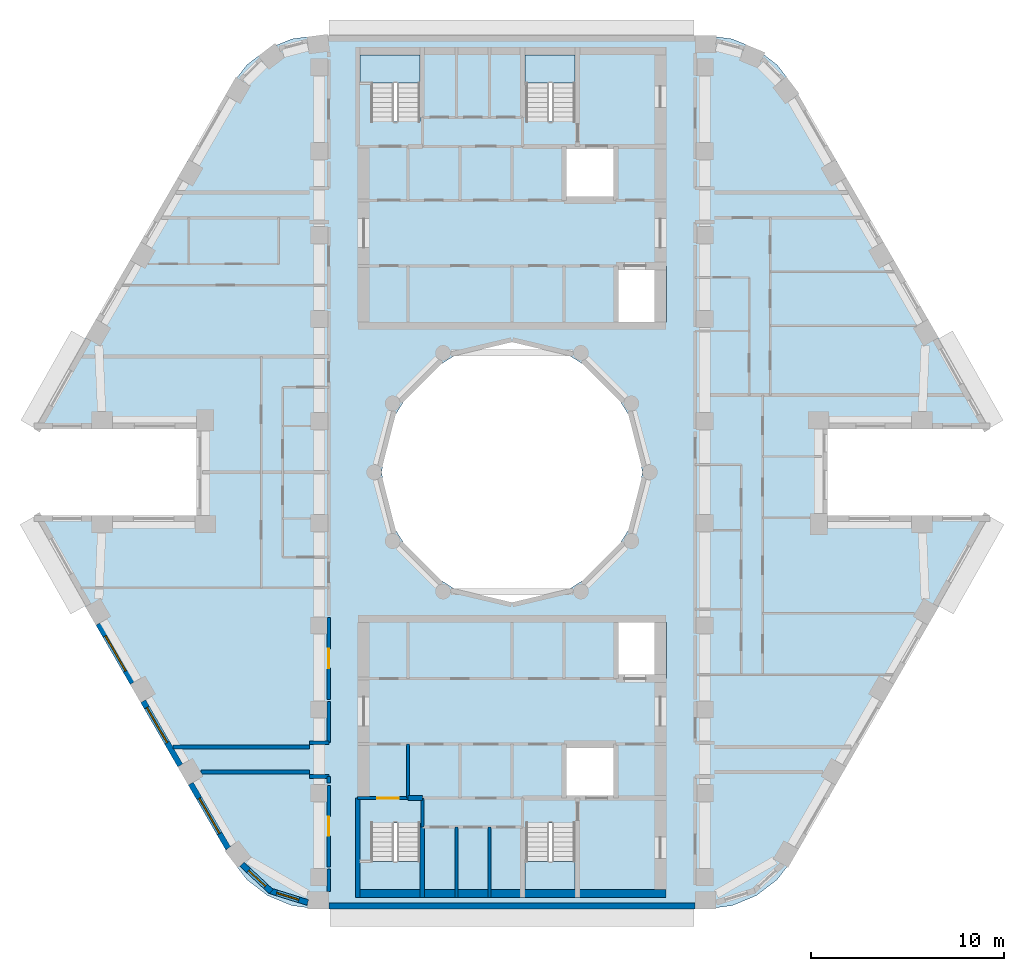
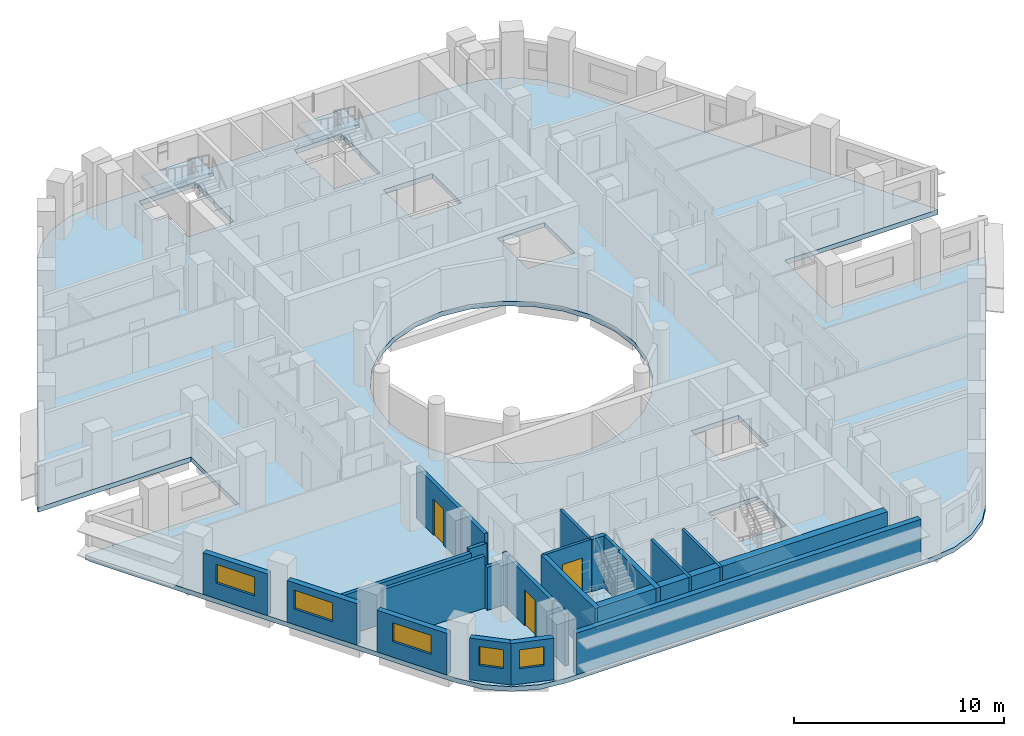
# One storey, part 2 of 12: 24 walls, 5 slabs, 5 windows, 3 doors, 8 openings, 4 elements without a shape of their own.
"""IFC4 building model written with IfcOpenShell, lengths in metres."""

from ifc_helpers import new_model, si_unit, direction, frame, frame_2d, origin, place, context, subcontext, project, spatial, polyline, rectangle, outline, extrude, material, layer, layer_set, type_object, element, fill, aggregate, save


model = new_model("IFC4")

# Units and contexts
model_context = context("Model", 3, precision=1e-05, world=origin(), true_north=direction((0.0, 1.0)))
body_context = subcontext(model_context, "Body", "Model", "MODEL_VIEW")
ifc_project = project(units=[si_unit("LENGTHUNIT", "METRE"), si_unit("AREAUNIT", "SQUARE_METRE"), si_unit("VOLUMEUNIT", "CUBIC_METRE"), si_unit("PLANEANGLEUNIT", "RADIAN"), si_unit("MASSUNIT", "GRAM", prefix="KILO")], contexts=[model_context])

# Site, building, storey
site_placement = place(None, origin())
site = spatial("IfcSite", under=ifc_project, at=site_placement, CompositionType="ELEMENT")
building_placement = place(site_placement, origin())
building = spatial("IfcBuilding", under=site, at=building_placement, Name="Nakaniwa Court", CompositionType="ELEMENT")
storey_placement = place(building_placement, frame((0.0, 0.0, 249.300048828125)))
storey = spatial("IfcBuildingStorey", under=building, at=storey_placement, Name="L65", CompositionType="ELEMENT", Elevation=249.300048828125)

# Slab
ifc_material_1 = material(Name="Concrete C80/100", Category="concrete")
ifc_layer_1 = layer(ifc_material_1, 0.27490234375)
ifc_layer_set_1 = layer_set([ifc_layer_1], Name="Concrete C80/100")
slab_type_1 = type_object("IfcSlabType", Name="Concrete C80/100 post tensioned floor slab 275", PredefinedType="FLOOR", material=ifc_layer_set_1)
slab_1_placement = place(storey_placement, frame((0.0, 0.0, -0.275146484375)))
element("IfcSlab", 1, at=slab_1_placement, inside=storey, type_object=slab_type_1, Name="FLOOR SLAB", PredefinedType="FLOOR", context=body_context, shape_type="SweptSolid", body=[
    extrude(outline(polyline([(96.349609375, 82.25), (104.7978515625, 82.25), (104.65283203125, 82.60009765625), (94.578125, 100.050048828125), (93.751708984375, 101.126953125), (92.6748046875, 101.953369140625), (91.420654296875, 102.472900390625), (90.07470703125, 102.64990234375), (69.92529296875, 102.64990234375), (68.579345703125, 102.472900390625), (67.3251953125, 101.953369140625), (66.248291015625, 101.126953125), (65.421875, 100.050048828125), (55.34716796875, 82.60009765625), (55.2021484375, 82.25), (63.650390625, 82.25), (63.650390625, 77.75), (55.2021484375, 77.75), (55.34716796875, 77.39990234375), (65.421875, 59.949951171875), (66.248291015625, 58.873046875), (67.3251953125, 58.046630859375), (68.579345703125, 57.527099609375), (69.92529296875, 57.35009765625), (90.07470703125, 57.35009765625), (91.420654296875, 57.527099609375), (92.6748046875, 58.046630859375), (93.751708984375, 58.873046875), (94.578125, 59.949951171875), (104.65283203125, 77.39990234375), (104.7978515625, 77.75), (96.349609375, 77.75), (96.349609375, 82.25)]), holes=[polyline([(81.501953125, 86.580810546875), (80.0, 86.75), (78.498046875, 86.580810546875), (77.0712890625, 86.08154296875), (75.79150390625, 85.27734375), (74.72265625, 84.20849609375), (73.91845703125, 82.9287109375), (73.419189453125, 81.501953125), (73.25, 80.0), (73.419189453125, 78.498046875), (73.91845703125, 77.0712890625), (74.72265625, 75.79150390625), (75.79150390625, 74.72265625), (77.0712890625, 73.91845703125), (78.498046875, 73.419189453125), (80.0, 73.25), (81.501953125, 73.419189453125), (82.9287109375, 73.91845703125), (84.20849609375, 74.72265625), (85.27734375, 75.79150390625), (86.08154296875, 77.0712890625), (86.580810546875, 78.498046875), (86.75, 80.0), (86.580810546875, 81.501953125), (86.08154296875, 82.9287109375), (85.27734375, 84.20849609375), (84.20849609375, 85.27734375), (82.9287109375, 86.08154296875), (81.501953125, 86.580810546875)]), polyline([(72.675048828125, 61.81005859375), (72.675048828125, 59.864990234375), (72.0849609375, 59.864990234375), (72.0849609375, 58.31005859375), (72.125, 58.31005859375), (72.125, 58.074951171875), (75.22509765625, 58.074951171875), (75.22509765625, 58.31005859375), (75.264892578125, 58.31005859375), (75.264892578125, 59.864990234375), (75.22509765625, 59.864990234375), (75.22509765625, 61.81005859375), (72.675048828125, 61.81005859375)]), polyline([(83.27490234375, 61.81005859375), (80.72509765625, 61.81005859375), (80.72509765625, 59.864990234375), (80.635009765625, 59.864990234375), (80.635009765625, 58.31005859375), (80.675048828125, 58.31005859375), (80.675048828125, 58.074951171875), (83.27490234375, 58.074951171875), (83.27490234375, 58.31005859375), (83.31494140625, 58.31005859375), (83.31494140625, 59.864990234375), (83.27490234375, 59.864990234375), (83.27490234375, 61.81005859375)]), polyline([(75.264892578125, 101.68994140625), (75.22509765625, 101.68994140625), (75.22509765625, 101.925048828125), (72.125, 101.925048828125), (72.125, 101.68994140625), (72.0849609375, 101.68994140625), (72.0849609375, 100.135009765625), (72.675048828125, 100.135009765625), (72.675048828125, 98.18994140625), (75.22509765625, 98.18994140625), (75.22509765625, 100.135009765625), (75.264892578125, 100.135009765625), (75.264892578125, 101.68994140625)]), polyline([(83.31494140625, 100.135009765625), (83.31494140625, 101.68994140625), (83.27490234375, 101.68994140625), (83.27490234375, 101.925048828125), (80.675048828125, 101.925048828125), (80.675048828125, 101.68994140625), (80.635009765625, 101.68994140625), (80.635009765625, 100.135009765625), (80.72509765625, 100.135009765625), (80.72509765625, 98.18994140625), (83.27490234375, 98.18994140625), (83.27490234375, 100.135009765625), (83.31494140625, 100.135009765625)]), polyline([(85.39990234375, 65.89990234375), (82.699951171875, 65.89990234375), (82.699951171875, 63.10009765625), (85.39990234375, 63.10009765625), (85.39990234375, 65.89990234375)]), polyline([(88.0, 72.199951171875), (85.39990234375, 72.199951171875), (85.39990234375, 69.300048828125), (88.0, 69.300048828125), (88.0, 72.199951171875)]), polyline([(85.39990234375, 90.699951171875), (85.39990234375, 87.800048828125), (88.0, 87.800048828125), (88.0, 90.699951171875), (85.39990234375, 90.699951171875)]), polyline([(85.39990234375, 96.89990234375), (82.699951171875, 96.89990234375), (82.699951171875, 94.10009765625), (85.39990234375, 94.10009765625), (85.39990234375, 96.89990234375)])]), origin(), (0.0, 0.0, 1.0), 0.275146484375),
])

# Stair, slab
stair_type = type_object("IfcStairType", Name="Dog leg stair 1200 wide 18 risers", PredefinedType="HALF_TURN_STAIR", material=ifc_material_1)
stair_1_placement = place(storey_placement, origin())
stair_1 = element("IfcStair", 2, at=stair_1_placement, inside=storey, type_object=stair_type, Name="L65 Stair ST1", PredefinedType="HALF_TURN_STAIR")
ifc_layer_2 = layer(ifc_material_1, 0.199951171875)
ifc_layer_set_2 = layer_set([ifc_layer_2], Name="Concrete C80/100")
slab_type_2 = type_object("IfcSlabType", Name="Stair landing concrete", PredefinedType="LANDING", material=ifc_layer_set_2)
slab_2_placement = place(storey_placement, frame((0.0, 0.0, 1.449951171875)))
slab_2 = element("IfcSlab", 3, at=slab_2_placement, type_object=slab_type_2, Name="ST1 landing 1", PredefinedType="LANDING", context=body_context, shape_type="SweptSolid", body=[
    extrude(outline(polyline([(75.22509765625, 100.175048828125), (75.22509765625, 101.64990234375), (72.125, 101.64990234375), (72.125, 100.175048828125), (75.22509765625, 100.175048828125)])), origin(), (0.0, 0.0, 1.0), 0.199951171875),
])
aggregate(stair_1, [slab_2])

stair_2_placement = place(storey_placement, origin())
stair_2 = element("IfcStair", 4, at=stair_2_placement, inside=storey, type_object=stair_type, Name="L65 Stair ST2", PredefinedType="HALF_TURN_STAIR")
slab_3_placement = place(storey_placement, frame((0.0, 0.0, 1.449951171875)))
slab_3 = element("IfcSlab", 5, at=slab_3_placement, type_object=slab_type_2, Name="ST2 landing 1", PredefinedType="LANDING", context=body_context, shape_type="SweptSolid", body=[
    extrude(outline(polyline([(83.27490234375, 100.175048828125), (83.27490234375, 101.64990234375), (80.675048828125, 101.64990234375), (80.675048828125, 100.175048828125), (83.27490234375, 100.175048828125)])), origin(), (0.0, 0.0, 1.0), 0.199951171875),
])
aggregate(stair_2, [slab_3])

stair_3_placement = place(storey_placement, origin())
stair_3 = element("IfcStair", 6, at=stair_3_placement, inside=storey, type_object=stair_type, Name="L65 Stair ST3", PredefinedType="HALF_TURN_STAIR")
slab_4_placement = place(storey_placement, frame((0.0, 0.0, 1.449951171875)))
slab_4 = element("IfcSlab", 7, at=slab_4_placement, type_object=slab_type_2, Name="ST3 landing 1", PredefinedType="LANDING", context=body_context, shape_type="SweptSolid", body=[
    extrude(outline(polyline([(75.22509765625, 58.35009765625), (75.22509765625, 59.824951171875), (72.125, 59.824951171875), (72.125, 58.35009765625), (75.22509765625, 58.35009765625)])), origin(), (0.0, 0.0, 1.0), 0.199951171875),
])
aggregate(stair_3, [slab_4])

stair_4_placement = place(storey_placement, origin())
stair_4 = element("IfcStair", 8, at=stair_4_placement, inside=storey, type_object=stair_type, Name="L65 Stair ST4", PredefinedType="HALF_TURN_STAIR")
slab_5_placement = place(storey_placement, frame((0.0, 0.0, 1.449951171875)))
slab_5 = element("IfcSlab", 9, at=slab_5_placement, type_object=slab_type_2, Name="ST4 landing 1", PredefinedType="LANDING", context=body_context, shape_type="SweptSolid", body=[
    extrude(outline(polyline([(83.27490234375, 58.35009765625), (83.27490234375, 59.824951171875), (80.675048828125, 59.824951171875), (80.675048828125, 58.35009765625), (83.27490234375, 58.35009765625)])), origin(), (0.0, 0.0, 1.0), 0.199951171875),
])
aggregate(stair_4, [slab_5])

# Walls
ifc_material_2 = material(Name="Acoustic double stud partition")
ifc_layer_3 = layer(ifc_material_2, 0.199951171875)
ifc_layer_set_3 = layer_set([ifc_layer_3], Name="Acoustic double stud partition")
wall_type_1 = type_object("IfcWallType", Name="Acoustic double stud partition 200", PredefinedType="PARTITIONING", material=ifc_layer_set_3)
wall_1_placement = place(storey_placement, frame((63.88330078125, 64.449951171875, 0.0), z_axis=(0.0, 0.0, 1.0), x_axis=(1.0, 0.0, 0.0)))
element("IfcWall", 10, at=wall_1_placement, inside=storey, type_object=wall_type_1, Name="Partition PW-078", PredefinedType="PARTITIONING", context=body_context, shape_type="SweptSolid", body=[
    extrude(rectangle(XDim=5.61669921875, YDim=0.199951171875, at=frame_2d((2.808349609375, 0.0))), origin(), (0.0, 0.0, 1.0), 3.02490234375),
])
for number, where, z_axis, x_axis, name in (
    (11, (69.5, 64.22509765625, 0.0), (0.0, 0.0, 1.0), (1.0, 0.0, 0.0), "Partition PW-080"),
    (12, (69.5, 65.97509765625, 0.0), (0.0, 0.0, 1.0), (1.0, 0.0, 0.0), "Partition PW-082"),
):
    element("IfcWall", number, at=place(storey_placement, frame(where, z_axis=z_axis, x_axis=x_axis)), inside=storey, type_object=wall_type_1, Name=name, PredefinedType="PARTITIONING", context=body_context, shape_type="SweptSolid", body=[
        extrude(rectangle(XDim=1.0, YDim=0.199951171875, at=frame_2d((0.5, 0.0))), origin(), (0.0, 0.0, 1.0), 2.5048828125),
    ])
wall_2_placement = place(storey_placement, frame((62.419677734375, 65.75, 0.0), z_axis=(0.0, 0.0, 1.0), x_axis=(1.0, 0.0, 0.0)))
element("IfcWall", 13, at=wall_2_placement, inside=storey, type_object=wall_type_1, Name="Partition PW-084", PredefinedType="PARTITIONING", context=body_context, shape_type="SweptSolid", body=[
    extrude(rectangle(XDim=7.080322265625, YDim=0.199951171875, at=frame_2d((3.5400390625, 0.0))), origin(), (0.0, 0.0, 1.0), 2.405029296875),
])
wall_3_placement = place(storey_placement, frame((70.5, 58.26708984375, 0.0), z_axis=(0.0, 0.0, 1.0), x_axis=(0.0, 1.0, 0.0)))
element("IfcWall", 14, at=wall_3_placement, inside=storey, type_object=wall_type_1, Name="Partition PW-086", PredefinedType="PARTITIONING", context=body_context, shape_type="SweptSolid", body=[
    extrude(rectangle(XDim=1.14599609375, YDim=0.199951171875, at=frame_2d((0.572998046875, 0.0))), origin(), (0.0, 0.0, 1.0), 3.02490234375),
])

# Wall, opening, door
wall_4_placement = place(storey_placement, frame((70.5, 59.527099609375, 0.0), z_axis=(0.0, 0.0, 1.0), x_axis=(0.0, 1.0, 0.0)))
wall_4 = element("IfcWall", 15, at=wall_4_placement, inside=storey, type_object=wall_type_1, Name="Partition PW-087", PredefinedType="PARTITIONING", context=body_context, shape_type="SweptSolid", body=[
    extrude(rectangle(XDim=4.23583984375, YDim=0.199951171875, at=frame_2d((2.117919921875, 0.0))), origin(), (0.0, 0.0, 1.0), 3.02490234375),
])
opening_1_placement = place(wall_4_placement, frame((1.617919921875, 0.0, 0.0)))
opening_1 = element("IfcOpeningElement", 16, at=opening_1_placement, cuts=wall_4, Name="Opening D-02-05", PredefinedType="OPENING", context=body_context, shape_type="SweptSolid", body=[
    extrude(rectangle(XDim=1.0, YDim=2.10009765625, at=frame_2d((0.5, 1.050048828125))), frame((0.0, 0.10986328125, 0.0), z_axis=(0.0, -1.0, 0.0), x_axis=(1.0, 0.0, 0.0)), (0.0, 0.0, 1.0), 0.219970703125),
])
ifc_material_3 = material(Name="Solid core timber door set, black veneer", Category="wood")
door_type_1 = type_object("IfcDoorType", Name="Internal door 1000", OperationType="NOTDEFINED", PredefinedType="DOOR", material=ifc_material_3)
door_1_placement = place(opening_1_placement, origin())
door_1 = element("IfcDoor", 17, at=door_1_placement, inside=storey, type_object=door_type_1, Name="Door D-02-05 L65-061", OperationType="SINGLE_SWING_RIGHT", OverallHeight=2.10009765625, OverallWidth=1.0, PredefinedType="DOOR", context=body_context, shape_type="SweptSolid", body=[
    extrude(rectangle(XDim=1.0, YDim=2.10009765625, at=frame_2d((0.5, 1.050048828125))), frame((0.0, 0.02490234375, 0.0), z_axis=(0.0, -1.0, 0.0), x_axis=(1.0, 0.0, 0.0)), (0.0, 0.0, 1.0), 0.050048828125),
])
fill(opening_1, door_1)

# Walls
wall_5_placement = place(storey_placement, frame((70.5, 63.876953125, 0.0), z_axis=(0.0, 0.0, 1.0), x_axis=(0.0, 1.0, 0.0)))
element("IfcWall", 18, at=wall_5_placement, inside=storey, type_object=wall_type_1, Name="Partition PW-088", PredefinedType="PARTITIONING", context=body_context, shape_type="SweptSolid", body=[
    extrude(rectangle(XDim=0.35107421875, YDim=0.199951171875, at=frame_2d((0.175537109375, 0.0))), origin(), (0.0, 0.0, 1.0), 3.02490234375),
])
wall_6_placement = place(storey_placement, frame((70.5, 65.971923828125, 0.0), z_axis=(0.0, 0.0, 1.0), x_axis=(0.0, 1.0, 0.0)))
element("IfcWall", 19, at=wall_6_placement, inside=storey, type_object=wall_type_1, Name="Partition PW-089", PredefinedType="PARTITIONING", context=body_context, shape_type="SweptSolid", body=[
    extrude(rectangle(XDim=2.14111328125, YDim=0.199951171875, at=frame_2d((1.070556640625, 0.0))), origin(), (0.0, 0.0, 1.0), 3.02490234375),
])

# Wall, opening, door
wall_7_placement = place(storey_placement, frame((70.5, 68.22705078125, 0.0), z_axis=(0.0, 0.0, 1.0), x_axis=(0.0, 1.0, 0.0)))
wall_7 = element("IfcWall", 20, at=wall_7_placement, inside=storey, type_object=wall_type_1, Name="Partition PW-090", PredefinedType="PARTITIONING", context=body_context, shape_type="SweptSolid", body=[
    extrude(rectangle(XDim=4.23583984375, YDim=0.199951171875, at=frame_2d((2.117919921875, 0.0))), origin(), (0.0, 0.0, 1.0), 3.02490234375),
])
opening_2_placement = place(wall_7_placement, frame((1.617919921875, 0.0, 0.0)))
opening_2 = element("IfcOpeningElement", 21, at=opening_2_placement, cuts=wall_7, Name="Opening D-02-02", PredefinedType="OPENING", context=body_context, shape_type="SweptSolid", body=[
    extrude(rectangle(XDim=1.0, YDim=2.10009765625, at=frame_2d((0.5, 1.050048828125))), frame((0.0, 0.10986328125, 0.0), z_axis=(0.0, -1.0, 0.0), x_axis=(1.0, 0.0, 0.0)), (0.0, 0.0, 1.0), 0.219970703125),
])
door_2_placement = place(opening_2_placement, origin())
door_2 = element("IfcDoor", 22, at=door_2_placement, inside=storey, type_object=door_type_1, Name="Door D-02-02 L65-046", OperationType="SINGLE_SWING_LEFT", OverallHeight=2.10009765625, OverallWidth=1.0, PredefinedType="DOOR", context=body_context, shape_type="SweptSolid", body=[
    extrude(rectangle(XDim=1.0, YDim=2.10009765625, at=frame_2d((0.5, 1.050048828125))), frame((0.0, 0.02490234375, 0.0), z_axis=(0.0, -1.0, 0.0), x_axis=(1.0, 0.0, 0.0)), (0.0, 0.0, 1.0), 0.050048828125),
])
fill(opening_2, door_2)

# Wall, opening, window
ifc_material_4 = material(Name="Charcoal ceramic cladding")
ifc_layer_4 = layer(ifc_material_4, 0.02, Name="Ceramic cladding")
ifc_material_5 = material(Name="Ventilated air cavity")
ifc_layer_5 = layer(ifc_material_5, 0.04, ventilated=True, Name="Ventilated cavity")
ifc_material_6 = material(Name="Mineral wool insulation")
ifc_layer_6 = layer(ifc_material_6, 0.1, Name="Insulation")
ifc_material_7 = material(Name="Cement bonded sheathing board")
ifc_layer_7 = layer(ifc_material_7, 0.012, Name="Sheathing")
ifc_material_8 = material(Name="Cold-formed galvanised stud frame with mineral wool infill")
ifc_layer_8 = layer(ifc_material_8, 0.1, Name="Stud frame")
ifc_material_9 = material(Name="Fire-rated gypsum plasterboard lining")
ifc_layer_9 = layer(ifc_material_9, 0.028, Name="Lining")
ifc_layer_set_4 = layer_set([ifc_layer_4, ifc_layer_5, ifc_layer_6, ifc_layer_7, ifc_layer_8, ifc_layer_9], Name="Charcoal ceramic faced external wall system")
wall_type_2 = type_object("IfcWallType", Name="Black ceramic faced external wall 300", PredefinedType="SOLIDWALL", material=ifc_layer_set_4)
wall_8_placement = place(storey_placement, frame((58.55419921875, 72.14501953125, 0.0), z_axis=(0.0, 0.0, 1.0), x_axis=(0.500010404316, -0.866019396766, 0.0)))
wall_8 = element("IfcWall", 23, at=wall_8_placement, inside=storey, type_object=wall_type_2, Name="L65 external wall 21", PredefinedType="SOLIDWALL", context=body_context, shape_type="SweptSolid", body=[
    extrude(rectangle(XDim=3.54736328125, YDim=0.300048828125, at=frame_2d((1.773681640625, 0.0))), origin(), (0.0, 0.0, 1.0), 2.425048828125),
])
opening_3_placement = place(wall_8_placement, frame((0.723388671875, 0.0, 0.89990234375)))
opening_3 = element("IfcOpeningElement", 24, at=opening_3_placement, cuts=wall_8, Name="Opening W7.23", PredefinedType="OPENING", context=body_context, shape_type="SweptSolid", body=[
    extrude(rectangle(XDim=2.10009765625, YDim=1.10009765625, at=frame_2d((1.050048828125, 0.550048828125))), frame((0.0, 0.159912109375, 0.0), z_axis=(0.0, -1.0, 0.0), x_axis=(1.0, 0.0, 0.0)), (0.0, 0.0, 1.0), 0.320068359375),
])
ifc_material_10 = material(Name="Black anodised aluminium frame with dark low-E laminated double glazing", Category="aluminium")
window_type_1 = type_object("IfcWindowType", Name="Dark glass window 2100x1100 sill 900", PartitioningType="SINGLE_PANEL", PredefinedType="WINDOW", material=ifc_material_10)
window_1_placement = place(opening_3_placement, origin())
window_1 = element("IfcWindow", 25, at=window_1_placement, inside=storey, type_object=window_type_1, Name="L65 habitable room window 21-0", OverallHeight=1.10009765625, OverallWidth=2.10009765625, PartitioningType="SINGLE_PANEL", PredefinedType="WINDOW", context=body_context, shape_type="SweptSolid", body=[
    extrude(rectangle(XDim=2.10009765625, YDim=1.10009765625, at=frame_2d((1.050048828125, 0.550048828125))), frame((0.0, 0.030029296875, 0.0), z_axis=(0.0, -1.0, 0.0), x_axis=(1.0, 0.0, 0.0)), (0.0, 0.0, 1.0), 0.06005859375),
])
fill(opening_3, window_1)

wall_9_placement = place(storey_placement, frame((60.873779296875, 68.12744140625, 0.0), z_axis=(0.0, 0.0, 1.0), x_axis=(0.499984490703, -0.866034357896, 0.0)))
wall_9 = element("IfcWall", 26, at=wall_9_placement, inside=storey, type_object=wall_type_2, Name="L65 external wall 22", PredefinedType="SOLIDWALL", context=body_context, shape_type="SweptSolid", body=[
    extrude(rectangle(XDim=3.84423828125, YDim=0.300048828125, at=frame_2d((1.922119140625, 0.0))), origin(), (0.0, 0.0, 1.0), 2.425048828125),
])
opening_4_placement = place(wall_9_placement, frame((0.3837890625, 0.0, 0.89990234375)))
opening_4 = element("IfcOpeningElement", 27, at=opening_4_placement, cuts=wall_9, Name="Opening W7.24", PredefinedType="OPENING", context=body_context, shape_type="SweptSolid", body=[
    extrude(rectangle(XDim=2.10009765625, YDim=1.10009765625, at=frame_2d((1.050048828125, 0.550048828125))), frame((0.0, 0.159912109375, 0.0), z_axis=(0.0, -1.0, 0.0), x_axis=(1.0, 0.0, 0.0)), (0.0, 0.0, 1.0), 0.320068359375),
])
window_2_placement = place(opening_4_placement, origin())
window_2 = element("IfcWindow", 28, at=window_2_placement, inside=storey, type_object=window_type_1, Name="L65 habitable room window 22-0", OverallHeight=1.10009765625, OverallWidth=2.10009765625, PartitioningType="SINGLE_PANEL", PredefinedType="WINDOW", context=body_context, shape_type="SweptSolid", body=[
    extrude(rectangle(XDim=2.10009765625, YDim=1.10009765625, at=frame_2d((1.050048828125, 0.550048828125))), frame((0.0, 0.030029296875, 0.0), z_axis=(0.0, -1.0, 0.0), x_axis=(1.0, 0.0, 0.0)), (0.0, 0.0, 1.0), 0.06005859375),
])
fill(opening_4, window_2)

wall_10_placement = place(storey_placement, frame((63.342041015625, 63.8525390625, 0.0), z_axis=(0.0, 0.0, 1.0), x_axis=(0.500011218404, -0.866018926739, 0.0)))
wall_10 = element("IfcWall", 29, at=wall_10_placement, inside=storey, type_object=wall_type_2, Name="L65 external wall 23", PredefinedType="SOLIDWALL", context=body_context, shape_type="SweptSolid", body=[
    extrude(rectangle(XDim=3.87890625, YDim=0.300048828125, at=frame_2d((1.939453125, 0.0))), origin(), (0.0, 0.0, 1.0), 2.425048828125),
])
opening_5_placement = place(wall_10_placement, frame((0.878173828125, 0.0, 0.89990234375)))
opening_5 = element("IfcOpeningElement", 30, at=opening_5_placement, cuts=wall_10, Name="Opening W7.25", PredefinedType="OPENING", context=body_context, shape_type="SweptSolid", body=[
    extrude(rectangle(XDim=2.10009765625, YDim=1.10009765625, at=frame_2d((1.050048828125, 0.550048828125))), frame((0.0, 0.159912109375, 0.0), z_axis=(0.0, -1.0, 0.0), x_axis=(1.0, 0.0, 0.0)), (0.0, 0.0, 1.0), 0.320068359375),
])
window_3_placement = place(opening_5_placement, origin())
window_3 = element("IfcWindow", 31, at=window_3_placement, inside=storey, type_object=window_type_1, Name="L65 habitable room window 23-0", OverallHeight=1.10009765625, OverallWidth=2.10009765625, PartitioningType="SINGLE_PANEL", PredefinedType="WINDOW", context=body_context, shape_type="SweptSolid", body=[
    extrude(rectangle(XDim=2.10009765625, YDim=1.10009765625, at=frame_2d((1.050048828125, 0.550048828125))), frame((0.0, 0.030029296875, 0.0), z_axis=(0.0, -1.0, 0.0), x_axis=(1.0, 0.0, 0.0)), (0.0, 0.0, 1.0), 0.06005859375),
])
fill(opening_5, window_3)

wall_11_placement = place(storey_placement, frame((65.99609375, 59.665283203125, 0.0), z_axis=(0.0, 0.0, 1.0), x_axis=(0.731942518471, -0.6813663843, 0.0)))
wall_11 = element("IfcWall", 32, at=wall_11_placement, inside=storey, type_object=wall_type_2, Name="L65 external wall 24", PredefinedType="SOLIDWALL", context=body_context, shape_type="SweptSolid", body=[
    extrude(rectangle(XDim=2.07568359375, YDim=0.300048828125, at=frame_2d((1.037841796875, 0.0))), origin(), (0.0, 0.0, 1.0), 2.425048828125),
])
opening_6_placement = place(wall_11_placement, frame((0.464111328125, 0.0, 0.89990234375)))
opening_6 = element("IfcOpeningElement", 33, at=opening_6_placement, cuts=wall_11, Name="Opening W6.26", PredefinedType="OPENING", context=body_context, shape_type="SweptSolid", body=[
    extrude(rectangle(XDim=1.199951171875, YDim=1.10009765625, at=frame_2d((0.60009765625, 0.550048828125))), frame((0.0, 0.159912109375, 0.0), z_axis=(0.0, -1.0, 0.0), x_axis=(1.0, 0.0, 0.0)), (0.0, 0.0, 1.0), 0.320068359375),
])
window_type_2 = type_object("IfcWindowType", Name="Dark glass window 1200x1100 sill 900", PartitioningType="SINGLE_PANEL", PredefinedType="WINDOW", material=ifc_material_10)
window_4_placement = place(opening_6_placement, origin())
window_4 = element("IfcWindow", 34, at=window_4_placement, inside=storey, type_object=window_type_2, Name="L65 habitable room window 24-0", OverallHeight=1.10009765625, OverallWidth=1.199951171875, PartitioningType="SINGLE_PANEL", PredefinedType="WINDOW", context=body_context, shape_type="SweptSolid", body=[
    extrude(rectangle(XDim=1.199951171875, YDim=1.10009765625, at=frame_2d((0.60009765625, 0.550048828125))), frame((0.0, 0.030029296875, 0.0), z_axis=(0.0, -1.0, 0.0), x_axis=(1.0, 0.0, 0.0)), (0.0, 0.0, 1.0), 0.06005859375),
])
fill(opening_6, window_4)

wall_12_placement = place(storey_placement, frame((67.406494140625, 58.3076171875, 0.0), z_axis=(0.0, 0.0, 1.0), x_axis=(0.954761314907, -0.297373219301, 0.0)))
wall_12 = element("IfcWall", 35, at=wall_12_placement, inside=storey, type_object=wall_type_2, Name="L65 external wall 25", PredefinedType="SOLIDWALL", context=body_context, shape_type="SweptSolid", body=[
    extrude(rectangle(XDim=2.096923828125, YDim=0.300048828125, at=frame_2d((1.04833984375, 0.0))), origin(), (0.0, 0.0, 1.0), 2.425048828125),
])
opening_7_placement = place(wall_12_placement, frame((0.409423828125, 0.0, 0.89990234375)))
opening_7 = element("IfcOpeningElement", 36, at=opening_7_placement, cuts=wall_12, Name="Opening W6.27", PredefinedType="OPENING", context=body_context, shape_type="SweptSolid", body=[
    extrude(rectangle(XDim=1.199951171875, YDim=1.10009765625, at=frame_2d((0.60009765625, 0.550048828125))), frame((0.0, 0.159912109375, 0.0), z_axis=(0.0, -1.0, 0.0), x_axis=(1.0, 0.0, 0.0)), (0.0, 0.0, 1.0), 0.320068359375),
])
window_5_placement = place(opening_7_placement, origin())
window_5 = element("IfcWindow", 37, at=window_5_placement, inside=storey, type_object=window_type_2, Name="L65 habitable room window 25-0", OverallHeight=1.10009765625, OverallWidth=1.199951171875, PartitioningType="SINGLE_PANEL", PredefinedType="WINDOW", context=body_context, shape_type="SweptSolid", body=[
    extrude(rectangle(XDim=1.199951171875, YDim=1.10009765625, at=frame_2d((0.60009765625, 0.550048828125))), frame((0.0, 0.030029296875, 0.0), z_axis=(0.0, -1.0, 0.0), x_axis=(1.0, 0.0, 0.0)), (0.0, 0.0, 1.0), 0.06005859375),
])
fill(opening_7, window_5)

# Walls
wall_13_placement = place(storey_placement, frame((70.500732421875, 57.5, 0.0), z_axis=(0.0, 0.0, 1.0), x_axis=(1.0, 0.0, 0.0)))
element("IfcWall", 38, at=wall_13_placement, inside=storey, type_object=wall_type_2, Name="L65 external wall 26", PredefinedType="SOLIDWALL", context=body_context, shape_type="SweptSolid", body=[
    extrude(rectangle(XDim=18.99267578125, YDim=0.300048828125, at=frame_2d((9.496337890625, 0.0))), origin(), (0.0, 0.0, 1.0), 2.425048828125),
])
ifc_material_11 = material(Name="Blockwork partition", Category="masonry")
ifc_layer_10 = layer(ifc_material_11, 0.14990234375)
ifc_layer_set_5 = layer_set([ifc_layer_10], Name="Blockwork partition")
wall_type_3 = type_object("IfcWallType", Name="Blockwork partition 150", PredefinedType="PARTITIONING", material=ifc_layer_set_5)
wall_14_placement = place(storey_placement, frame((74.60009765625, 63.10009765625, 0.0), z_axis=(0.0, 0.0, 1.0), x_axis=(0.0, 1.0, 0.0)))
element("IfcWall", 39, at=wall_14_placement, inside=storey, type_object=wall_type_3, Name="Partition PW-030", PredefinedType="PARTITIONING", context=body_context, shape_type="SweptSolid", body=[
    extrude(rectangle(XDim=2.7998046875, YDim=0.14990234375, at=frame_2d((1.39990234375, 0.0))), origin(), (0.0, 0.0, 1.0), 3.02490234375),
])
for number, where, z_axis, x_axis, name in (
    (40, (77.117919921875, 57.949951171875, 0.0), (0.0, 0.0, 1.0), (0.0, 1.0, 0.0), "Partition PW-057"),
    (41, (78.833984375, 57.949951171875, 0.0), (0.0, 0.0, 1.0), (0.0, 1.0, 0.0), "Partition PW-058"),
):
    element("IfcWall", number, at=place(storey_placement, frame(where, z_axis=z_axis, x_axis=x_axis)), inside=storey, type_object=wall_type_3, Name=name, PredefinedType="PARTITIONING", context=body_context, shape_type="SweptSolid", body=[
        extrude(rectangle(XDim=3.650146484375, YDim=0.14990234375, at=frame_2d((1.8251953125, 0.0))), origin(), (0.0, 0.0, 1.0), 3.02490234375),
    ])

# Wall, opening, door
ifc_layer_11 = layer(ifc_material_1, 0.14990234375)
ifc_layer_set_6 = layer_set([ifc_layer_11], Name="Concrete C80/100")
wall_type_4 = type_object("IfcWallType", Name="Concrete core wall 150 C80", PredefinedType="SHEAR", material=ifc_layer_set_6)
wall_15_placement = place(storey_placement, frame((72.0, 63.10009765625, -0.275146484375), z_axis=(0.0, 0.0, 1.0), x_axis=(1.0, 0.0, 0.0)))
wall_15 = element("IfcWall", 42, at=wall_15_placement, inside=storey, type_object=wall_type_4, Name="Core wall SW-44", PredefinedType="SHEAR", context=body_context, shape_type="SweptSolid", body=[
    extrude(rectangle(XDim=2.60009765625, YDim=0.14990234375, at=frame_2d((1.300048828125, 0.0))), origin(), (0.0, 0.0, 1.0), 3.300048828125),
])
opening_8_placement = place(wall_15_placement, frame((1.02001953125, 0.0, 0.27490234375)))
opening_8 = element("IfcOpeningElement", 43, at=opening_8_placement, cuts=wall_15, Name="Opening D-09-02", PredefinedType="OPENING", context=body_context, shape_type="SweptSolid", body=[
    extrude(rectangle(XDim=1.10009765625, YDim=2.10009765625, at=frame_2d((0.550048828125, 1.050048828125))), frame((0.0, 0.0849609375, 0.0), z_axis=(0.0, -1.0, 0.0), x_axis=(1.0, 0.0, 0.0)), (0.0, 0.0, 1.0), 0.169921875),
])
ifc_material_12 = material(Name="Fire rated steel door set", Category="steel")
door_type_2 = type_object("IfcDoorType", Name="Stair door 1100", OperationType="NOTDEFINED", PredefinedType="DOOR", material=ifc_material_12)
door_3_placement = place(opening_8_placement, origin())
door_3 = element("IfcDoor", 44, at=door_3_placement, inside=storey, type_object=door_type_2, Name="Door D-09-02 L65-029", OperationType="SINGLE_SWING_LEFT", OverallHeight=2.10009765625, OverallWidth=1.10009765625, PredefinedType="DOOR", context=body_context, shape_type="SweptSolid", body=[
    extrude(rectangle(XDim=1.10009765625, YDim=2.10009765625, at=frame_2d((0.550048828125, 1.050048828125))), frame((0.0, 0.02490234375, 0.0), z_axis=(0.0, -1.0, 0.0), x_axis=(1.0, 0.0, 0.0)), (0.0, 0.0, 1.0), 0.050048828125),
])
fill(opening_8, door_3)

# Walls
wall_16_placement = place(storey_placement, frame((75.35009765625, 61.596923828125, -0.275146484375), z_axis=(0.0, 0.0, 1.0), x_axis=(0.0, 1.0, 0.0)))
element("IfcWall", 45, at=wall_16_placement, inside=storey, type_object=wall_type_4, Name="Core wall SW-50", PredefinedType="SHEAR", context=body_context, shape_type="SweptSolid", body=[
    extrude(rectangle(XDim=1.503173828125, YDim=0.14990234375, at=frame_2d((0.75146484375, 0.0))), origin(), (0.0, 0.0, 1.0), 3.300048828125),
])
ifc_layer_12 = layer(ifc_material_1, 0.25)
ifc_layer_set_7 = layer_set([ifc_layer_12], Name="Concrete C80/100")
wall_type_5 = type_object("IfcWallType", Name="Concrete core wall 250 C80", PredefinedType="SHEAR", material=ifc_layer_set_7)
wall_17_placement = place(storey_placement, frame((72.0, 57.949951171875, -0.275146484375), z_axis=(0.0, 0.0, 1.0), x_axis=(0.0, 1.0, 0.0)))
element("IfcWall", 46, at=wall_17_placement, inside=storey, type_object=wall_type_5, Name="Core wall SW-52", PredefinedType="SHEAR", context=body_context, shape_type="SweptSolid", body=[
    extrude(rectangle(XDim=5.150146484375, YDim=0.25, at=frame_2d((2.5751953125, 0.0))), origin(), (0.0, 0.0, 1.0), 3.300048828125),
])
ifc_layer_13 = layer(ifc_material_1, 0.39990234375)
ifc_layer_set_8 = layer_set([ifc_layer_13], Name="Concrete C80/100")
wall_type_6 = type_object("IfcWallType", Name="Concrete core wall 400 C80", PredefinedType="SHEAR", material=ifc_layer_set_8)
wall_18_placement = place(storey_placement, frame((72.00390625, 58.14990234375, -0.275146484375), z_axis=(0.0, 0.0, 1.0), x_axis=(1.0, 0.0, 0.0)))
element("IfcWall", 47, at=wall_18_placement, inside=storey, type_object=wall_type_6, Name="Core wall SW-128", PredefinedType="SHEAR", context=body_context, shape_type="SweptSolid", body=[
    extrude(rectangle(XDim=15.9921875, YDim=0.39990234375, at=frame_2d((7.99609375, 0.0))), origin(), (0.0, 0.0, 1.0), 3.300048828125),
])
ifc_layer_14 = layer(ifc_material_1, 0.25)
ifc_layer_set_9 = layer_set([ifc_layer_14], Name="Concrete C80/100")
wall_type_7 = type_object("IfcWallType", Name="Concrete shaft wall 250 C80", PredefinedType="SHEAR", material=ifc_layer_set_9)
wall_19_placement = place(storey_placement, frame((74.60009765625, 63.10009765625, -0.275146484375), z_axis=(0.0, 0.0, 1.0), x_axis=(1.0, 0.0, 0.0)))
element("IfcWall", 48, at=wall_19_placement, inside=storey, type_object=wall_type_7, Name="Core wall SW-46", PredefinedType="SHEAR", context=body_context, shape_type="SweptSolid", body=[
    extrude(rectangle(XDim=0.7529296875, YDim=0.25, at=frame_2d((0.37646484375, 0.0))), origin(), (0.0, 0.0, 1.0), 3.300048828125),
])
wall_20_placement = place(storey_placement, frame((75.35009765625, 57.949951171875, -0.275146484375), z_axis=(0.0, 0.0, 1.0), x_axis=(0.0, 1.0, 0.0)))
element("IfcWall", 49, at=wall_20_placement, inside=storey, type_object=wall_type_7, Name="Core wall SW-51", PredefinedType="SHEAR", context=body_context, shape_type="SweptSolid", body=[
    extrude(rectangle(XDim=3.653076171875, YDim=0.25, at=frame_2d((1.82666015625, 0.0))), origin(), (0.0, 0.0, 1.0), 3.300048828125),
])

save(model, "model.ifc")
